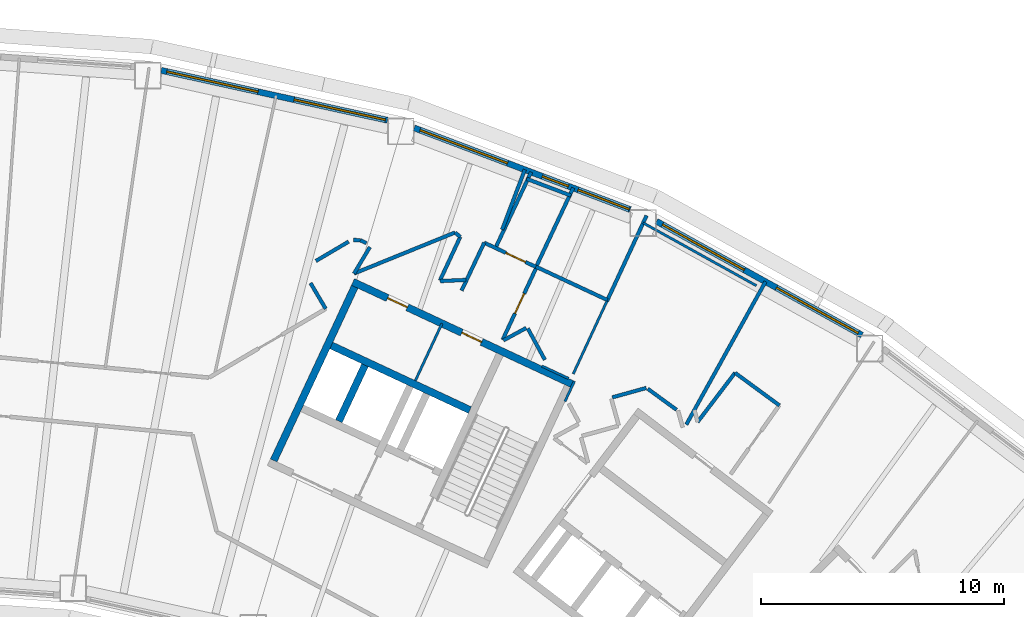
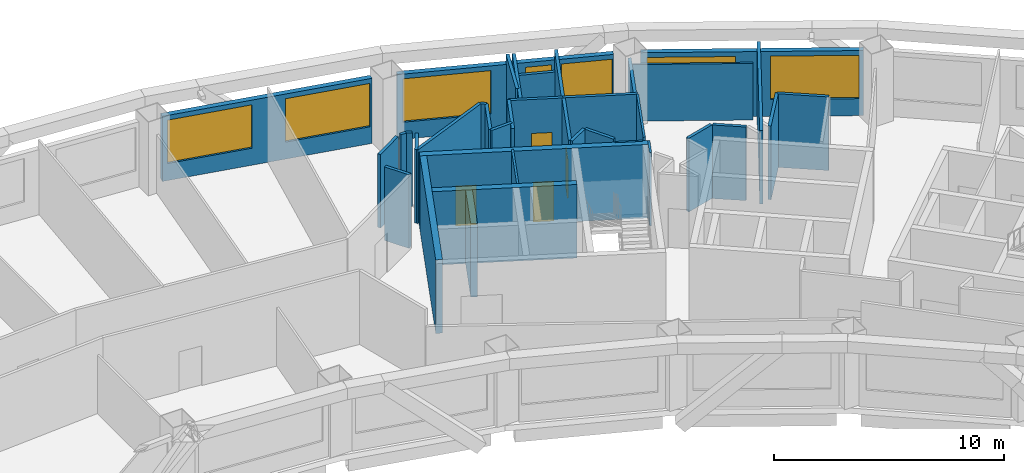
# One storey, part 9 of 16: 37 walls, 7 windows, 4 doors, 11 openings.
"""IFC4 building model written with IfcOpenShell, lengths in metres."""

import ifcopenshell
import ifcopenshell.guid

model = None  # the IFC model being written
_history = None  # IfcOwnerHistory: only IFC2X3 demands one
_inside = {}  # id of a spatial element -> (the spatial element, [elements in it])
_under = {}  # id of a project, library or spatial element -> (it, [spatial elements below it])
_declared = {}  # id of a project -> (the project, [libraries it declares])
_typed = {}  # id of a type object -> (the type object, [elements of that type])
_made_of = {}  # id of a material, layer set ... -> (it, [elements and type objects made of it])


def new_model(schema):
    """Start an empty IFC model of exactly this schema.

    Asked for "IFC4X3", IfcOpenShell would pick the latest addendum, in which some entities
    have other attributes; the version numbers below select the first issue.
    IFC2X3 requires an IfcOwnerHistory on every rooted entity: one is made here for all.
    """
    global model, _history
    if schema == "IFC4X3":
        model = ifcopenshell.file(schema_version=(4, 3, 0, 0))
    else:
        model = ifcopenshell.file(schema=schema)
    _inside.clear()
    _under.clear()
    _declared.clear()
    _typed.clear()
    _made_of.clear()
    _history = None
    if model.schema == "IFC2X3":
        org = make("IfcOrganization", Name="unknown")
        user = make(
            "IfcPersonAndOrganization",
            ThePerson=make("IfcPerson", FamilyName="unknown"),
            TheOrganization=org,
        )
        app = make(
            "IfcApplication",
            ApplicationDeveloper=org,
            Version="unknown",
            ApplicationFullName="unknown",
            ApplicationIdentifier="unknown",
        )
        _history = make(
            "IfcOwnerHistory",
            OwningUser=user,
            OwningApplication=app,
            ChangeAction="ADDED",
            CreationDate=0,
        )
    return model


def make(cls, **values):
    """One entity of the class cls with the attributes given. An attribute that is None is left unset."""
    return model.create_entity(
        cls, **{name: value for name, value in values.items() if value is not None}
    )


def rooted(cls, **values):
    """An entity with a GlobalId (a new one), such as an element, a storey or a relation."""
    return make(cls, GlobalId=ifcopenshell.guid.new(), OwnerHistory=_history, **values)


def si_unit(unit_type, name, prefix=None):
    """IfcSIUnit, for example si_unit("LENGTHUNIT", "METRE", prefix="MILLI")."""
    return make("IfcSIUnit", UnitType=unit_type, Prefix=prefix, Name=name)


def assignment(units):
    """IfcUnitAssignment: the units of a project."""
    return None if units is None else make("IfcUnitAssignment", Units=units)


def point(xyz):
    """IfcCartesianPoint."""
    return None if xyz is None else make("IfcCartesianPoint", Coordinates=xyz)


def direction(xyz):
    """IfcDirection."""
    return None if xyz is None else make("IfcDirection", DirectionRatios=xyz)


def frame(location, z_axis=None, x_axis=None):
    """IfcAxis2Placement3D, a coordinate frame: its origin and axes. An axis left out is left unset."""
    return make(
        "IfcAxis2Placement3D",
        Location=point(location),
        Axis=direction(z_axis),
        RefDirection=direction(x_axis),
    )


def frame_2d(location, x_axis=None):
    """IfcAxis2Placement2D, a coordinate frame in the plane: its origin and x axis."""
    return make(
        "IfcAxis2Placement2D", Location=point(location), RefDirection=direction(x_axis)
    )


def origin():
    """The frame at (0, 0, 0) with its axes left unset."""
    return frame((0.0, 0.0, 0.0))


def place(relative_to, where):
    """IfcLocalPlacement: puts the frame where relative to a parent placement (None: the world)."""
    return make(
        "IfcLocalPlacement", PlacementRelTo=relative_to, RelativePlacement=where
    )


def context(
    kind, dimensions, precision=None, world=None, true_north=None, identifier=None
):
    """IfcGeometricRepresentationContext, for example the 3D "Model" context."""
    return make(
        "IfcGeometricRepresentationContext",
        ContextIdentifier=identifier,
        ContextType=kind,
        CoordinateSpaceDimension=dimensions,
        Precision=precision,
        WorldCoordinateSystem=world,
        TrueNorth=true_north,
    )


def subcontext(parent, identifier, kind, view, scale=None):
    """IfcGeometricRepresentationSubContext, for example "Body" below "Model"."""
    return make(
        "IfcGeometricRepresentationSubContext",
        ContextIdentifier=identifier,
        ContextType=kind,
        ParentContext=parent,
        TargetScale=scale,
        TargetView=view,
    )


def project(units=None, contexts=None):
    """IfcProject with its units and contexts."""
    return rooted(
        "IfcProject",
        Name="project",
        RepresentationContexts=contexts,
        UnitsInContext=assignment(units),
    )


def spatial(cls, under=None, at=None, **own):
    """A site, building, storey or space (cls), placed at a placement, below another one or the project."""
    s = rooted(cls, ObjectPlacement=at, **own)
    if under is not None:
        _under.setdefault(under.id(), (under, []))[1].append(s)
    return s


def profile(cls, at=None, kind="AREA", **sizes):
    """A parametric profile (cls). Its sizes go by their IFC names, for example OverallWidth=200.0."""
    return make(cls, ProfileType=kind, Position=at, **sizes)


def rectangle(**sizes):
    """IfcRectangleProfileDef."""
    return profile("IfcRectangleProfileDef", **sizes)


def extrude(swept, where, along, depth):
    """IfcExtrudedAreaSolid: the profile swept, set in the frame where, extruded along a direction by depth."""
    return make(
        "IfcExtrudedAreaSolid",
        SweptArea=swept,
        Position=where,
        ExtrudedDirection=direction(along),
        Depth=depth,
    )


def shape(context_of_items, identifier, shape_type, items):
    """IfcShapeRepresentation: the items that make up one representation, for example the "Body"."""
    return make(
        "IfcShapeRepresentation",
        ContextOfItems=context_of_items,
        RepresentationIdentifier=identifier,
        RepresentationType=shape_type,
        Items=items,
    )


def material(Name=None, Category=None):
    """IfcMaterial."""
    return make("IfcMaterial", Name=Name, Category=Category)


def layer(
    of_material, thickness, ventilated=None, Name=None, Category=None, Priority=None
):
    """IfcMaterialLayer: one layer of a wall or slab, of a material (None: an air gap)."""
    return make(
        "IfcMaterialLayer",
        Material=of_material,
        LayerThickness=thickness,
        IsVentilated=ventilated,
        Name=Name,
        Category=Category,
        Priority=Priority,
    )


def layer_set(layers, Name=None):
    """IfcMaterialLayerSet."""
    return make("IfcMaterialLayerSet", MaterialLayers=layers, LayerSetName=Name)


def made_of(thing, what):
    """Note that an element or type object is made of a material, layer set ...; save() writes the relation."""
    if what is not None:
        _made_of.setdefault(what.id(), (what, []))[1].append(thing)
    return thing


def type_object(cls, material=None, **own):
    """A type object (cls), such as IfcWallType, which elements share."""
    return made_of(rooted(cls, **own), material)


def element(
    cls,
    number,
    at=None,
    inside=None,
    cuts=None,
    type_object=None,
    material=None,
    context=None,
    identifier="Body",
    shape_type=None,
    held_by="IfcProductDefinitionShape",
    body=None,
    shapes=None,
    **own,
):
    """One element of the class cls, such as IfcWall. Its Tag is "e" and its number.

    at: its placement. inside: the storey or other place that contains it. cuts: it is an
    opening in that element (IfcRelVoidsElement). A single representation is given by context,
    identifier, shape_type and body (its items); several are given by shapes. held_by: the class
    of the entity that holds the representations. save() writes the other relations.
    """
    e = rooted(cls, Tag="e%d" % number, ObjectPlacement=at, **own)
    if body is not None:
        shapes = [shape(context, identifier, shape_type, body)]
    if shapes is not None:
        e.Representation = make(held_by, Representations=shapes)
    if inside is not None:
        _inside.setdefault(inside.id(), (inside, []))[1].append(e)
    if cuts is not None:
        rooted(
            "IfcRelVoidsElement", RelatingBuildingElement=cuts, RelatedOpeningElement=e
        )
    if type_object is not None:
        _typed.setdefault(type_object.id(), (type_object, []))[1].append(e)
    return made_of(e, material)


def fill(opening, filler):
    """IfcRelFillsElement: the door or window that sits in an opening."""
    return rooted(
        "IfcRelFillsElement",
        RelatingOpeningElement=opening,
        RelatedBuildingElement=filler,
    )


def aggregate(whole, parts):
    """IfcRelAggregates: a whole, such as a stair, and the parts it consists of."""
    return rooted("IfcRelAggregates", RelatingObject=whole, RelatedObjects=parts)


def save(model, path):
    """Write the relations noted so far, then the file.

    IfcRelAggregates (storeys below a building ...), IfcRelContainedInSpatialStructure (elements
    in a storey), IfcRelDefinesByType, IfcRelAssociatesMaterial and IfcRelDeclares: one each for
    every whole, place, type object, material and project.
    """
    for whole, parts in _under.values():
        aggregate(whole, parts)
    for where, things in _inside.values():
        rooted(
            "IfcRelContainedInSpatialStructure",
            RelatedElements=things,
            RelatingStructure=where,
        )
    for kind, things in _typed.values():
        rooted("IfcRelDefinesByType", RelatedObjects=things, RelatingType=kind)
    for what, things in _made_of.values():
        rooted("IfcRelAssociatesMaterial", RelatedObjects=things, RelatingMaterial=what)
    for by, libraries in _declared.values():
        rooted("IfcRelDeclares", RelatingContext=by, RelatedDefinitions=libraries)
    model.write(path)


model = new_model("IFC4")

# Units and contexts
model_context = context("Model", 3, precision=1e-05, world=origin(), true_north=direction((0.0, 1.0)))
body_context = subcontext(model_context, "Body", "Model", "MODEL_VIEW")
ifc_project = project(units=[si_unit("LENGTHUNIT", "METRE"), si_unit("AREAUNIT", "SQUARE_METRE"), si_unit("VOLUMEUNIT", "CUBIC_METRE"), si_unit("PLANEANGLEUNIT", "RADIAN"), si_unit("MASSUNIT", "GRAM", prefix="KILO")], contexts=[model_context])

# Site, building, storey
site_placement = place(None, origin())
site = spatial("IfcSite", under=ifc_project, at=site_placement, CompositionType="ELEMENT")
building_placement = place(site_placement, origin())
building = spatial("IfcBuilding", under=site, at=building_placement, Name="Tuul Gate Civic Tower", CompositionType="ELEMENT")
storey_placement = place(building_placement, frame((0.0, 0.0, 124.5)))
storey = spatial("IfcBuildingStorey", under=building, at=storey_placement, Name="Level 28", CompositionType="ELEMENT", Elevation=124.5)

# Wall
ifc_material_1 = material(Name="Concrete C50/60", Category="concrete")
ifc_layer_1 = layer(ifc_material_1, 0.300048828125)
ifc_layer_set_1 = layer_set([ifc_layer_1], Name="Concrete C50/60")
wall_type_1 = type_object("IfcWallType", Name="Core wall C50/60", PredefinedType="SHEAR", material=ifc_layer_set_1)
wall_1_placement = place(storey_placement, frame((33.75, -0.873779296875, 0.0), z_axis=(0.0, 0.0, 1.0), x_axis=(-0.906300917592, 0.422632992999, 0.0)))
element("IfcWall", 1, at=wall_1_placement, inside=storey, type_object=wall_type_1, Name="Core wall", PredefinedType="SHEAR", context=body_context, shape_type="SweptSolid", body=[
    extrude(rectangle(XDim=6.300048828125, YDim=0.300048828125, at=frame_2d((3.14990234375, 0.0))), origin(), (0.0, 0.0, 1.0), 3.89990234375),
])

# Wall, openings, doors
wall_2_placement = place(storey_placement, frame((37.993408203125, 0.181884765625, 0.0), z_axis=(0.0, 0.0, 1.0), x_axis=(-0.906310338845, 0.422612789327, 0.0)))
wall_2 = element("IfcWall", 2, at=wall_2_placement, inside=storey, type_object=wall_type_1, Name="Core wall", PredefinedType="SHEAR", context=body_context, shape_type="SweptSolid", body=[
    extrude(rectangle(XDim=9.999755859375, YDim=0.300048828125, at=frame_2d((5.0, 0.0))), origin(), (0.0, 0.0, 1.0), 3.89990234375),
])
opening_1_placement = place(wall_2_placement, frame((4.14990234375, 0.0, 0.0)))
opening_1 = element("IfcOpeningElement", 3, at=opening_1_placement, cuts=wall_2, Name="Opening I-D31", PredefinedType="OPENING", context=body_context, shape_type="SweptSolid", body=[
    extrude(rectangle(XDim=0.89990234375, YDim=2.10009765625, at=frame_2d((0.449951171875, 1.050048828125))), frame((0.0, 0.16015625, 0.0), z_axis=(0.0, -1.0, 0.0), x_axis=(1.0, 0.0, 0.0)), (0.0, 0.0, 1.0), 0.320068359375),
])
opening_2_placement = place(wall_2_placement, frame((7.52490234375, 0.0, 0.0)))
opening_2 = element("IfcOpeningElement", 4, at=opening_2_placement, cuts=wall_2, Name="Opening I-D32", PredefinedType="OPENING", context=body_context, shape_type="SweptSolid", body=[
    extrude(rectangle(XDim=0.89990234375, YDim=2.10009765625, at=frame_2d((0.449951171875, 1.050048828125))), frame((0.0, 0.16015625, 0.0), z_axis=(0.0, -1.0, 0.0), x_axis=(1.0, 0.0, 0.0)), (0.0, 0.0, 1.0), 0.320068359375),
])
ifc_material_2 = material(Name="Timber door leaf", Category="wood")
door_type = type_object("IfcDoorType", Name="Door D09", OperationType="NOTDEFINED", PredefinedType="DOOR", material=ifc_material_2)
door_1_placement = place(opening_1_placement, origin())
door_1 = element("IfcDoor", 5, at=door_1_placement, inside=storey, type_object=door_type, Name="Door I-D31", OperationType="SINGLE_SWING_LEFT", OverallHeight=2.10009765625, OverallWidth=0.89990234375, PredefinedType="DOOR", context=body_context, shape_type="SweptSolid", body=[
    extrude(rectangle(XDim=0.89990234375, YDim=2.10009765625, at=frame_2d((0.449951171875, 1.050048828125))), frame((0.0, 0.02490234375, 0.0), z_axis=(0.0, -1.0, 0.0), x_axis=(1.0, 0.0, 0.0)), (0.0, 0.0, 1.0), 0.050048828125),
])
fill(opening_1, door_1)
door_2_placement = place(opening_2_placement, origin())
door_2 = element("IfcDoor", 6, at=door_2_placement, inside=storey, type_object=door_type, Name="Door I-D32", OperationType="SINGLE_SWING_RIGHT", OverallHeight=2.10009765625, OverallWidth=0.89990234375, PredefinedType="DOOR", context=body_context, shape_type="SweptSolid", body=[
    extrude(rectangle(XDim=0.89990234375, YDim=2.10009765625, at=frame_2d((0.449951171875, 1.050048828125))), frame((0.0, 0.02490234375, 0.0), z_axis=(0.0, -1.0, 0.0), x_axis=(1.0, 0.0, 0.0)), (0.0, 0.0, 1.0), 0.050048828125),
])
fill(opening_2, door_2)

# Walls
wall_3_placement = place(storey_placement, frame((28.349365234375, -1.33447265625, 0.0), z_axis=(0.0, 0.0, 1.0), x_axis=(0.422612891016, 0.906310291427, 0.0)))
element("IfcWall", 7, at=wall_3_placement, inside=storey, type_object=wall_type_1, Name="Core wall", PredefinedType="SHEAR", context=body_context, shape_type="SweptSolid", body=[
    extrude(rectangle(XDim=2.550048828125, YDim=0.300048828125, at=frame_2d((1.27490234375, 0.0))), origin(), (0.0, 0.0, 1.0), 3.89990234375),
])
wall_4_placement = place(storey_placement, frame((25.66455078125, -2.951416015625, 0.0), z_axis=(0.0, 0.0, 1.0), x_axis=(0.422582604137, 0.906324413596, 0.0)))
element("IfcWall", 8, at=wall_4_placement, inside=storey, type_object=wall_type_1, Name="Core wall", PredefinedType="SHEAR", context=body_context, shape_type="SweptSolid", body=[
    extrude(rectangle(XDim=7.89990234375, YDim=0.300048828125, at=frame_2d((3.949951171875, 0.0))), origin(), (0.0, 0.0, 1.0), 3.89990234375),
])
ifc_material_3 = material(Name="Gypsum board partition")
ifc_layer_2 = layer(ifc_material_3, 0.14990234375)
ifc_layer_set_2 = layer_set([ifc_layer_2], Name="Gypsum board partition")
wall_type_2 = type_object("IfcWallType", Name="Corridor wall P150", PredefinedType="PARTITIONING", material=ifc_layer_set_2)
wall_5_placement = place(storey_placement, frame((44.6787109375, 0.6611328125, 0.0), z_axis=(0.0, 0.0, 1.0), x_axis=(0.806350332677, -0.591438197102, 0.0)))
element("IfcWall", 9, at=wall_5_placement, inside=storey, type_object=wall_type_2, Name="p022", PredefinedType="PARTITIONING", context=body_context, shape_type="SweptSolid", body=[
    extrude(rectangle(XDim=2.27197265625, YDim=0.14990234375, at=frame_2d((1.135986328125, 0.0))), origin(), (0.0, 0.0, 1.0), 3.89990234375),
])
wall_6_placement = place(storey_placement, frame((43.13818359375, -1.3623046875, 0.0), z_axis=(0.0, 0.0, 1.0), x_axis=(0.605759722107, 0.795647634995, 0.0)))
element("IfcWall", 10, at=wall_6_placement, inside=storey, type_object=wall_type_2, Name="p023", PredefinedType="PARTITIONING", context=body_context, shape_type="SweptSolid", body=[
    extrude(rectangle(XDim=2.543212890625, YDim=0.14990234375, at=frame_2d((1.271484375, 0.0))), origin(), (0.0, 0.0, 1.0), 3.89990234375),
])
wall_7_placement = place(storey_placement, frame((42.669921875, -1.47021484375, 0.0), z_axis=(0.0, 0.0, 1.0), x_axis=(0.484830439578, 0.874608166471, 0.0)))
element("IfcWall", 11, at=wall_7_placement, inside=storey, type_object=wall_type_2, Name="p025", PredefinedType="PARTITIONING", context=body_context, shape_type="SweptSolid", body=[
    extrude(rectangle(XDim=6.737060546875, YDim=0.14990234375, at=frame_2d((3.36865234375, 0.0))), origin(), (0.0, 0.0, 1.0), 3.89990234375),
])
wall_8_placement = place(storey_placement, frame((41.081298828125, 0.003173828125, 0.0), z_axis=(0.0, 0.0, 1.0), x_axis=(0.808024012499, -0.589149552511, 0.0)))
element("IfcWall", 12, at=wall_8_placement, inside=storey, type_object=wall_type_2, Name="p030", PredefinedType="PARTITIONING", context=body_context, shape_type="SweptSolid", body=[
    extrude(rectangle(XDim=1.468994140625, YDim=0.14990234375, at=frame_2d((0.734375, 0.0))), origin(), (0.0, 0.0, 1.0), 3.89990234375),
])
wall_9_placement = place(storey_placement, frame((39.6162109375, -0.351318359375, 0.0), z_axis=(0.0, 0.0, 1.0), x_axis=(0.963577937758, 0.267427668475, 0.0)))
element("IfcWall", 13, at=wall_9_placement, inside=storey, type_object=wall_type_2, Name="p031", PredefinedType="PARTITIONING", context=body_context, shape_type="SweptSolid", body=[
    extrude(rectangle(XDim=1.4560546875, YDim=0.14990234375, at=frame_2d((0.72802734375, 0.0))), origin(), (0.0, 0.0, 1.0), 3.89990234375),
])
wall_10_placement = place(storey_placement, frame((36.13623046875, 2.489501953125, 0.0), z_axis=(0.0, 0.0, 1.0), x_axis=(0.479178275285, -0.877717597234, 0.0)))
element("IfcWall", 14, at=wall_10_placement, inside=storey, type_object=wall_type_2, Name="p036", PredefinedType="PARTITIONING", context=body_context, shape_type="SweptSolid", body=[
    extrude(rectangle(XDim=1.46826171875, YDim=0.14990234375, at=frame_2d((0.734130859375, 0.0))), origin(), (0.0, 0.0, 1.0), 3.89990234375),
])
wall_11_placement = place(storey_placement, frame((35.130615234375, 1.997802734375, 0.0), z_axis=(0.0, 0.0, 1.0), x_axis=(0.877825963041, 0.478979726722, 0.0)))
element("IfcWall", 15, at=wall_11_placement, inside=storey, type_object=wall_type_2, Name="p039", PredefinedType="PARTITIONING", context=body_context, shape_type="SweptSolid", body=[
    extrude(rectangle(XDim=1.072509765625, YDim=0.14990234375, at=frame_2d((0.5361328125, 0.0))), origin(), (0.0, 0.0, 1.0), 3.89990234375),
])

# Wall, opening, door
wall_12_placement = place(storey_placement, frame((35.1005859375, 2.02294921875, 0.0), z_axis=(0.0, 0.0, 1.0), x_axis=(0.422652707804, 0.906291723776, 0.0)))
wall_12 = element("IfcWall", 16, at=wall_12_placement, inside=storey, type_object=wall_type_2, Name="p040", PredefinedType="PARTITIONING", context=body_context, shape_type="SweptSolid", body=[
    extrude(rectangle(XDim=3.33056640625, YDim=0.14990234375, at=frame_2d((1.665283203125, 0.0))), origin(), (0.0, 0.0, 1.0), 3.89990234375),
])
opening_3_placement = place(wall_12_placement, frame((1.199951171875, 0.0, 0.0)))
opening_3 = element("IfcOpeningElement", 17, at=opening_3_placement, cuts=wall_12, Name="Opening I-D06", PredefinedType="OPENING", context=body_context, shape_type="SweptSolid", body=[
    extrude(rectangle(XDim=0.89990234375, YDim=2.10009765625, at=frame_2d((0.449951171875, 1.050048828125))), frame((0.0, 0.0849609375, 0.0), z_axis=(0.0, -1.0, 0.0), x_axis=(1.0, 0.0, 0.0)), (0.0, 0.0, 1.0), 0.169921875),
])
door_3_placement = place(opening_3_placement, frame((0.89990234375, 0.0, 0.0), z_axis=(0.0, 0.0, 1.0), x_axis=(-1.0, 0.0, 0.0)))
door_3 = element("IfcDoor", 18, at=door_3_placement, inside=storey, type_object=door_type, Name="Door I-D06", OperationType="SINGLE_SWING_RIGHT", OverallHeight=2.10009765625, OverallWidth=0.89990234375, PredefinedType="DOOR", context=body_context, shape_type="SweptSolid", body=[
    extrude(rectangle(XDim=0.89990234375, YDim=2.10009765625, at=frame_2d((0.449951171875, 1.050048828125))), frame((0.0, 0.02490234375, 0.0), z_axis=(0.0, -1.0, 0.0), x_axis=(1.0, 0.0, 0.0)), (0.0, 0.0, 1.0), 0.050048828125),
])
fill(opening_3, door_3)

# Walls
wall_13_placement = place(storey_placement, frame((36.47119140625, 5.03564453125, 0.0), z_axis=(0.0, 0.0, 1.0), x_axis=(0.906282813963, -0.42267181254, 0.0)))
element("IfcWall", 19, at=wall_13_placement, inside=storey, type_object=wall_type_2, Name="p041", PredefinedType="PARTITIONING", context=body_context, shape_type="SweptSolid", body=[
    extrude(rectangle(XDim=3.253173828125, YDim=0.14990234375, at=frame_2d((1.62646484375, 0.0))), origin(), (0.0, 0.0, 1.0), 3.89990234375),
])
wall_14_placement = place(storey_placement, frame((33.408203125, 4.05322265625, 0.0), z_axis=(0.0, 0.0, 1.0), x_axis=(0.428095961812, 0.903733283375, 0.0)))
element("IfcWall", 20, at=wall_14_placement, inside=storey, type_object=wall_type_2, Name="p043", PredefinedType="PARTITIONING", context=body_context, shape_type="SweptSolid", body=[
    extrude(rectangle(XDim=2.1826171875, YDim=0.14990234375, at=frame_2d((1.09130859375, 0.0))), origin(), (0.0, 0.0, 1.0), 3.89990234375),
])
wall_15_placement = place(storey_placement, frame((32.5263671875, 4.4423828125, 0.0), z_axis=(0.0, 0.0, 1.0), x_axis=(0.998924273389, 0.046371284587, 0.0)))
element("IfcWall", 21, at=wall_15_placement, inside=storey, type_object=wall_type_2, Name="p044", PredefinedType="PARTITIONING", context=body_context, shape_type="SweptSolid", body=[
    extrude(rectangle(XDim=1.06884765625, YDim=0.14990234375, at=frame_2d((0.534423828125, 0.0))), origin(), (0.0, 0.0, 1.0), 3.89990234375),
])
wall_16_placement = place(storey_placement, frame((32.516845703125, 4.468994140625, 0.0), z_axis=(0.0, 0.0, 1.0), x_axis=(0.422330715497, 0.906441816526, 0.0)))
element("IfcWall", 22, at=wall_16_placement, inside=storey, type_object=wall_type_2, Name="p045", PredefinedType="PARTITIONING", context=body_context, shape_type="SweptSolid", body=[
    extrude(rectangle(XDim=1.975830078125, YDim=0.14990234375, at=frame_2d((0.98779296875, 0.0))), origin(), (0.0, 0.0, 1.0), 3.89990234375),
])
wall_17_placement = place(storey_placement, frame((33.1455078125, 6.447265625, 0.0), z_axis=(0.0, 0.0, 1.0), x_axis=(0.739662095521, -0.672978442782, 0.0)))
element("IfcWall", 23, at=wall_17_placement, inside=storey, type_object=wall_type_2, Name="p046", PredefinedType="PARTITIONING", context=body_context, shape_type="SweptSolid", body=[
    extrude(rectangle(XDim=0.2783203125, YDim=0.14990234375, at=frame_2d((0.13916015625, 0.0))), origin(), (0.0, 0.0, 1.0), 3.89990234375),
])
wall_18_placement = place(storey_placement, frame((28.97412109375, 4.75390625, 0.0), z_axis=(0.0, 0.0, 1.0), x_axis=(0.926564640531, 0.376135569865, 0.0)))
element("IfcWall", 24, at=wall_18_placement, inside=storey, type_object=wall_type_2, Name="p048", PredefinedType="PARTITIONING", context=body_context, shape_type="SweptSolid", body=[
    extrude(rectangle(XDim=4.501953125, YDim=0.14990234375, at=frame_2d((2.2509765625, 0.0))), origin(), (0.0, 0.0, 1.0), 3.89990234375),
])
wall_19_placement = place(storey_placement, frame((29.63037109375, 5.84521484375, 0.0), z_axis=(0.0, 0.0, 1.0), x_axis=(-0.515341325325, -0.856985016445, 0.0)))
element("IfcWall", 25, at=wall_19_placement, inside=storey, type_object=wall_type_2, Name="p049", PredefinedType="PARTITIONING", context=body_context, shape_type="SweptSolid", body=[
    extrude(rectangle(XDim=1.2734375, YDim=0.14990234375, at=frame_2d((0.63671875, 0.0))), origin(), (0.0, 0.0, 1.0), 3.89990234375),
])
wall_20_placement = place(storey_placement, frame((29.233154296875, 6.12548828125, 0.0), z_axis=(0.0, 0.0, 1.0), x_axis=(0.902989616358, -0.429662370646, 0.0)))
element("IfcWall", 26, at=wall_20_placement, inside=storey, type_object=wall_type_2, Name="p050", PredefinedType="PARTITIONING", context=body_context, shape_type="SweptSolid", body=[
    extrude(rectangle(XDim=0.279541015625, YDim=0.14990234375, at=frame_2d((0.1396484375, 0.0))), origin(), (0.0, 0.0, 1.0), 3.89990234375),
])
wall_21_placement = place(storey_placement, frame((28.95361328125, 6.1396484375, 0.0), z_axis=(0.0, 0.0, 1.0), x_axis=(0.998719498115, -0.050590157983, 0.0)))
element("IfcWall", 27, at=wall_21_placement, inside=storey, type_object=wall_type_2, Name="p051", PredefinedType="PARTITIONING", context=body_context, shape_type="SweptSolid", body=[
    extrude(rectangle(XDim=0.27978515625, YDim=0.14990234375, at=frame_2d((0.139892578125, 0.0))), origin(), (0.0, 0.0, 1.0), 3.89990234375),
])
wall_22_placement = place(storey_placement, frame((27.404541015625, 5.273193359375, 0.0), z_axis=(0.0, 0.0, 1.0), x_axis=(0.861308158531, 0.508082922414, 0.0)))
element("IfcWall", 28, at=wall_22_placement, inside=storey, type_object=wall_type_2, Name="p052", PredefinedType="PARTITIONING", context=body_context, shape_type="SweptSolid", body=[
    extrude(rectangle(XDim=1.5654296875, YDim=0.14990234375, at=frame_2d((0.78271484375, 0.0))), origin(), (0.0, 0.0, 1.0), 3.89990234375),
])
wall_23_placement = place(storey_placement, frame((27.181640625, 4.36181640625, 0.0), z_axis=(0.0, 0.0, 1.0), x_axis=(0.507988786181, -0.861363682259, 0.0)))
element("IfcWall", 29, at=wall_23_placement, inside=storey, type_object=wall_type_2, Name="p053", PredefinedType="PARTITIONING", context=body_context, shape_type="SweptSolid", body=[
    extrude(rectangle(XDim=1.233154296875, YDim=0.14990234375, at=frame_2d((0.61669921875, 0.0))), origin(), (0.0, 0.0, 1.0), 3.89990234375),
])
wall_24_placement = place(storey_placement, frame((35.0791015625, 6.560791015625, 0.0), z_axis=(0.0, 0.0, 1.0), x_axis=(0.353739480117, 0.935343990309, 0.0)))
element("IfcWall", 30, at=wall_24_placement, inside=storey, type_object=wall_type_2, Name="p055", PredefinedType="PARTITIONING", context=body_context, shape_type="SweptSolid", body=[
    extrude(rectangle(XDim=2.6474609375, YDim=0.14990234375, at=frame_2d((1.32373046875, 0.0))), origin(), (0.0, 0.0, 1.0), 3.89990234375),
])

# Wall, opening, door
wall_25_placement = place(storey_placement, frame((34.342529296875, 6.025634765625, 0.0), z_axis=(0.0, 0.0, 1.0), x_axis=(0.905098945605, -0.425201009717, 0.0)))
wall_25 = element("IfcWall", 31, at=wall_25_placement, inside=storey, type_object=wall_type_2, Name="p056", PredefinedType="PARTITIONING", context=body_context, shape_type="SweptSolid", body=[
    extrude(rectangle(XDim=2.347900390625, YDim=0.14990234375, at=frame_2d((1.173828125, 0.0))), origin(), (0.0, 0.0, 1.0), 3.89990234375),
])
opening_4_placement = place(wall_25_placement, frame((0.9794921875, 0.0, 0.0)))
opening_4 = element("IfcOpeningElement", 32, at=opening_4_placement, cuts=wall_25, Name="Opening I-D25", PredefinedType="OPENING", context=body_context, shape_type="SweptSolid", body=[
    extrude(rectangle(XDim=0.89990234375, YDim=2.10009765625, at=frame_2d((0.449951171875, 1.050048828125))), frame((0.0, 0.0849609375, 0.0), z_axis=(0.0, -1.0, 0.0), x_axis=(1.0, 0.0, 0.0)), (0.0, 0.0, 1.0), 0.169921875),
])
door_4_placement = place(opening_4_placement, origin())
door_4 = element("IfcDoor", 33, at=door_4_placement, inside=storey, type_object=door_type, Name="Door I-D25", OperationType="SINGLE_SWING_RIGHT", OverallHeight=2.10009765625, OverallWidth=0.89990234375, PredefinedType="DOOR", context=body_context, shape_type="SweptSolid", body=[
    extrude(rectangle(XDim=0.89990234375, YDim=2.10009765625, at=frame_2d((0.449951171875, 1.050048828125))), frame((0.0, 0.02490234375, 0.0), z_axis=(0.0, -1.0, 0.0), x_axis=(1.0, 0.0, 0.0)), (0.0, 0.0, 1.0), 0.050048828125),
])
fill(opening_4, door_4)

# Walls
wall_26_placement = place(storey_placement, frame((36.4892578125, 5.05029296875, 0.0), z_axis=(0.0, 0.0, 1.0), x_axis=(0.425211120837, 0.905094195494, 0.0)))
element("IfcWall", 34, at=wall_26_placement, inside=storey, type_object=wall_type_2, Name="p104", PredefinedType="PARTITIONING", context=body_context, shape_type="SweptSolid", body=[
    extrude(rectangle(XDim=3.572509765625, YDim=0.14990234375, at=frame_2d((1.7861328125, 0.0))), origin(), (0.0, 0.0, 1.0), 3.89990234375),
])
wall_27_placement = place(storey_placement, frame((34.813720703125, 5.826416015625, 0.0), z_axis=(0.0, 0.0, 1.0), x_axis=(0.425212262645, 0.905093659074, 0.0)))
element("IfcWall", 35, at=wall_27_placement, inside=storey, type_object=wall_type_2, Name="p105", PredefinedType="PARTITIONING", context=body_context, shape_type="SweptSolid", body=[
    extrude(rectangle(XDim=3.438720703125, YDim=0.14990234375, at=frame_2d((1.71923828125, 0.0))), origin(), (0.0, 0.0, 1.0), 3.89990234375),
])
ifc_material_4 = material(Name="Gypsum board partition")
ifc_layer_3 = layer(ifc_material_4, 0.14990234375)
ifc_layer_set_3 = layer_set([ifc_layer_3], Name="Gypsum board partition")
wall_type_3 = type_object("IfcWallType", Name="Corridor wall P150 3000 HIGH", PredefinedType="PARTITIONING", material=ifc_layer_set_3)
wall_28_placement = place(storey_placement, frame((36.08984375, 8.656494140625, 0.0), z_axis=(0.0, 0.0, 1.0), x_axis=(0.935338822091, -0.353753145414, 0.0)))
element("IfcWall", 36, at=wall_28_placement, inside=storey, type_object=wall_type_3, Name="p054", PredefinedType="PARTITIONING", context=body_context, shape_type="SweptSolid", body=[
    extrude(rectangle(XDim=1.952392578125, YDim=0.14990234375, at=frame_2d((0.97607421875, 0.0))), origin(), (0.0, 0.0, 1.0), 3.0),
])
ifc_material_5 = material(Name="Gypsum board partition")
ifc_layer_4 = layer(ifc_material_5, 0.14990234375)
ifc_layer_set_4 = layer_set([ifc_layer_4], Name="Gypsum board partition")
wall_type_4 = type_object("IfcWallType", Name="Corridor wall P150 3100 HIGH", PredefinedType="PARTITIONING", material=ifc_layer_set_4)
wall_29_placement = place(storey_placement, frame((39.3984375, 3.615478515625, 0.0), z_axis=(0.0, 0.0, 1.0), x_axis=(0.420396664262, 0.907340423809, 0.0)))
element("IfcWall", 37, at=wall_29_placement, inside=storey, type_object=wall_type_4, Name="p038", PredefinedType="PARTITIONING", context=body_context, shape_type="SweptSolid", body=[
    extrude(rectangle(XDim=3.88525390625, YDim=0.14990234375, at=frame_2d((1.942626953125, 0.0))), origin(), (0.0, 0.0, 1.0), 3.10009765625),
])

# Wall, openings, windows
ifc_material_6 = material(Name="Precast concrete C40/50", Category="concrete")
ifc_layer_5 = layer(ifc_material_6, 0.25)
ifc_layer_set_5 = layer_set([ifc_layer_5], Name="Precast concrete C40/50")
wall_type_5 = type_object("IfcWallType", Name="External wall", PredefinedType="STANDARD", material=ifc_layer_set_5)
wall_30_placement = place(storey_placement, frame((49.909912109375, 2.214111328125, 0.0), z_axis=(0.0, 0.0, 1.0), x_axis=(-0.874635083582, 0.484781879372, 0.0)))
wall_30 = element("IfcWall", 38, at=wall_30_placement, inside=storey, type_object=wall_type_5, Name="External wall", PredefinedType="STANDARD", context=body_context, shape_type="SweptSolid", body=[
    extrude(rectangle(XDim=9.680419921875, YDim=0.25, at=frame_2d((4.84033203125, 0.0))), origin(), (0.0, 0.0, 1.0), 3.449951171875),
])
opening_5_placement = place(wall_30_placement, frame((0.180419921875, 0.0, 0.89990234375)))
opening_5 = element("IfcOpeningElement", 39, at=opening_5_placement, cuts=wall_30, Name="Opening W22", PredefinedType="OPENING", context=body_context, shape_type="SweptSolid", body=[
    extrude(rectangle(XDim=3.85009765625, YDim=2.300048828125, at=frame_2d((1.925048828125, 1.14990234375))), frame((0.0, 0.135009765625, 0.0), z_axis=(0.0, -1.0, 0.0), x_axis=(1.0, 0.0, 0.0)), (0.0, 0.0, 1.0), 0.27001953125),
])
opening_6_placement = place(wall_30_placement, frame((5.5517578125, 0.0, 0.89990234375)))
opening_6 = element("IfcOpeningElement", 40, at=opening_6_placement, cuts=wall_30, Name="Opening W22", PredefinedType="OPENING", context=body_context, shape_type="SweptSolid", body=[
    extrude(rectangle(XDim=3.85009765625, YDim=2.300048828125, at=frame_2d((1.925048828125, 1.14990234375))), frame((0.0, 0.135009765625, 0.0), z_axis=(0.0, -1.0, 0.0), x_axis=(1.0, 0.0, 0.0)), (0.0, 0.0, 1.0), 0.27001953125),
])
ifc_material_7 = material(Name="Glass", Category="glass")
window_type_1 = type_object("IfcWindowType", Name="Window W22 3850 x 2300", PartitioningType="SINGLE_PANEL", PredefinedType="WINDOW", material=ifc_material_7)
window_1_placement = place(opening_5_placement, origin())
window_1 = element("IfcWindow", 41, at=window_1_placement, inside=storey, type_object=window_type_1, Name="Window", OverallHeight=2.300048828125, OverallWidth=3.85009765625, PartitioningType="SINGLE_PANEL", PredefinedType="WINDOW", context=body_context, shape_type="SweptSolid", body=[
    extrude(rectangle(XDim=3.85009765625, YDim=2.300048828125, at=frame_2d((1.925048828125, 1.14990234375))), frame((0.0, 0.030029296875, 0.0), z_axis=(0.0, -1.0, 0.0), x_axis=(1.0, 0.0, 0.0)), (0.0, 0.0, 1.0), 0.06005859375),
])
fill(opening_5, window_1)
window_2_placement = place(opening_6_placement, origin())
window_2 = element("IfcWindow", 42, at=window_2_placement, inside=storey, type_object=window_type_1, Name="Window", OverallHeight=2.300048828125, OverallWidth=3.85009765625, PartitioningType="SINGLE_PANEL", PredefinedType="WINDOW", context=body_context, shape_type="SweptSolid", body=[
    extrude(rectangle(XDim=3.85009765625, YDim=2.300048828125, at=frame_2d((1.925048828125, 1.14990234375))), frame((0.0, 0.030029296875, 0.0), z_axis=(0.0, -1.0, 0.0), x_axis=(1.0, 0.0, 0.0)), (0.0, 0.0, 1.0), 0.06005859375),
])
fill(opening_6, window_2)

wall_31_placement = place(storey_placement, frame((40.358154296875, 7.389892578125, 0.0), z_axis=(0.0, 0.0, 1.0), x_axis=(-0.935373880855, 0.353660434618, 0.0)))
wall_31 = element("IfcWall", 43, at=wall_31_placement, inside=storey, type_object=wall_type_5, Name="External wall", PredefinedType="STANDARD", context=body_context, shape_type="SweptSolid", body=[
    extrude(rectangle(XDim=9.518310546875, YDim=0.25, at=frame_2d((4.75927734375, 0.0))), origin(), (0.0, 0.0, 1.0), 3.449951171875),
])
opening_7_placement = place(wall_31_placement, frame((5.4052734375, 0.0, 0.89990234375)))
opening_7 = element("IfcOpeningElement", 44, at=opening_7_placement, cuts=wall_31, Name="Opening W22", PredefinedType="OPENING", context=body_context, shape_type="SweptSolid", body=[
    extrude(rectangle(XDim=3.85009765625, YDim=2.300048828125, at=frame_2d((1.925048828125, 1.14990234375))), frame((0.0, 0.135009765625, 0.0), z_axis=(0.0, -1.0, 0.0), x_axis=(1.0, 0.0, 0.0)), (0.0, 0.0, 1.0), 0.27001953125),
])
opening_8_placement = place(wall_31_placement, frame((0.049072265625, 0.0, 0.89990234375)))
opening_8 = element("IfcOpeningElement", 45, at=opening_8_placement, cuts=wall_31, Name="Opening W42", PredefinedType="OPENING", context=body_context, shape_type="SweptSolid", body=[
    extrude(rectangle(XDim=2.25, YDim=2.300048828125, at=frame_2d((1.125, 1.14990234375))), frame((0.0, 0.135009765625, 0.0), z_axis=(0.0, -1.0, 0.0), x_axis=(1.0, 0.0, 0.0)), (0.0, 0.0, 1.0), 0.27001953125),
])
opening_9_placement = place(wall_31_placement, frame((2.72412109375, 0.0, 0.89990234375)))
opening_9 = element("IfcOpeningElement", 46, at=opening_9_placement, cuts=wall_31, Name="Opening W43", PredefinedType="OPENING", context=body_context, shape_type="SweptSolid", body=[
    extrude(rectangle(XDim=1.14990234375, YDim=2.300048828125, at=frame_2d((0.574951171875, 1.14990234375))), frame((0.0, 0.135009765625, 0.0), z_axis=(0.0, -1.0, 0.0), x_axis=(1.0, 0.0, 0.0)), (0.0, 0.0, 1.0), 0.27001953125),
])
ifc_material_8 = material(Name="Glass", Category="glass")
window_type_2 = type_object("IfcWindowType", Name="Window 1150 x 2300", PartitioningType="SINGLE_PANEL", PredefinedType="WINDOW", material=ifc_material_8)
window_3_placement = place(opening_9_placement, origin())
window_3 = element("IfcWindow", 47, at=window_3_placement, inside=storey, type_object=window_type_2, Name="Window", OverallHeight=2.300048828125, OverallWidth=1.14990234375, PartitioningType="SINGLE_PANEL", PredefinedType="WINDOW", context=body_context, shape_type="SweptSolid", body=[
    extrude(rectangle(XDim=1.14990234375, YDim=2.300048828125, at=frame_2d((0.574951171875, 1.14990234375))), frame((0.0, 0.030029296875, 0.0), z_axis=(0.0, -1.0, 0.0), x_axis=(1.0, 0.0, 0.0)), (0.0, 0.0, 1.0), 0.06005859375),
])
fill(opening_9, window_3)
ifc_material_9 = material(Name="Glass", Category="glass")
window_type_3 = type_object("IfcWindowType", Name="Window 2250 x 2300", PartitioningType="SINGLE_PANEL", PredefinedType="WINDOW", material=ifc_material_9)
window_4_placement = place(opening_8_placement, origin())
window_4 = element("IfcWindow", 48, at=window_4_placement, inside=storey, type_object=window_type_3, Name="Window", OverallHeight=2.300048828125, OverallWidth=2.25, PartitioningType="SINGLE_PANEL", PredefinedType="WINDOW", context=body_context, shape_type="SweptSolid", body=[
    extrude(rectangle(XDim=2.25, YDim=2.300048828125, at=frame_2d((1.125, 1.14990234375))), frame((0.0, 0.030029296875, 0.0), z_axis=(0.0, -1.0, 0.0), x_axis=(1.0, 0.0, 0.0)), (0.0, 0.0, 1.0), 0.06005859375),
])
fill(opening_8, window_4)
window_5_placement = place(opening_7_placement, origin())
window_5 = element("IfcWindow", 49, at=window_5_placement, inside=storey, type_object=window_type_1, Name="Window", OverallHeight=2.300048828125, OverallWidth=3.85009765625, PartitioningType="SINGLE_PANEL", PredefinedType="WINDOW", context=body_context, shape_type="SweptSolid", body=[
    extrude(rectangle(XDim=3.85009765625, YDim=2.300048828125, at=frame_2d((1.925048828125, 1.14990234375))), frame((0.0, 0.030029296875, 0.0), z_axis=(0.0, -1.0, 0.0), x_axis=(1.0, 0.0, 0.0)), (0.0, 0.0, 1.0), 0.06005859375),
])
fill(opening_7, window_5)

wall_32_placement = place(storey_placement, frame((30.35498046875, 11.070556640625, 0.0), z_axis=(0.0, 0.0, 1.0), x_axis=(-0.976562109563, 0.215235792019, 0.0)))
wall_32 = element("IfcWall", 50, at=wall_32_placement, inside=storey, type_object=wall_type_5, Name="External wall", PredefinedType="STANDARD", context=body_context, shape_type="SweptSolid", body=[
    extrude(rectangle(XDim=9.55078125, YDim=0.25, at=frame_2d((4.775390625, 0.0))), origin(), (0.0, 0.0, 1.0), 3.449951171875),
])
opening_10_placement = place(wall_32_placement, frame((0.093017578125, 0.0, 0.89990234375)))
opening_10 = element("IfcOpeningElement", 51, at=opening_10_placement, cuts=wall_32, Name="Opening W22", PredefinedType="OPENING", context=body_context, shape_type="SweptSolid", body=[
    extrude(rectangle(XDim=3.85009765625, YDim=2.300048828125, at=frame_2d((1.925048828125, 1.14990234375))), frame((0.0, 0.135009765625, 0.0), z_axis=(0.0, -1.0, 0.0), x_axis=(1.0, 0.0, 0.0)), (0.0, 0.0, 1.0), 0.27001953125),
])
opening_11_placement = place(wall_32_placement, frame((5.46435546875, 0.0, 0.89990234375)))
opening_11 = element("IfcOpeningElement", 52, at=opening_11_placement, cuts=wall_32, Name="Opening W22", PredefinedType="OPENING", context=body_context, shape_type="SweptSolid", body=[
    extrude(rectangle(XDim=3.85009765625, YDim=2.300048828125, at=frame_2d((1.925048828125, 1.14990234375))), frame((0.0, 0.135009765625, 0.0), z_axis=(0.0, -1.0, 0.0), x_axis=(1.0, 0.0, 0.0)), (0.0, 0.0, 1.0), 0.27001953125),
])
window_6_placement = place(opening_10_placement, origin())
window_6 = element("IfcWindow", 53, at=window_6_placement, inside=storey, type_object=window_type_1, Name="Window", OverallHeight=2.300048828125, OverallWidth=3.85009765625, PartitioningType="SINGLE_PANEL", PredefinedType="WINDOW", context=body_context, shape_type="SweptSolid", body=[
    extrude(rectangle(XDim=3.85009765625, YDim=2.300048828125, at=frame_2d((1.925048828125, 1.14990234375))), frame((0.0, 0.030029296875, 0.0), z_axis=(0.0, -1.0, 0.0), x_axis=(1.0, 0.0, 0.0)), (0.0, 0.0, 1.0), 0.06005859375),
])
fill(opening_10, window_6)
window_7_placement = place(opening_11_placement, origin())
window_7 = element("IfcWindow", 54, at=window_7_placement, inside=storey, type_object=window_type_1, Name="Window", OverallHeight=2.300048828125, OverallWidth=3.85009765625, PartitioningType="SINGLE_PANEL", PredefinedType="WINDOW", context=body_context, shape_type="SweptSolid", body=[
    extrude(rectangle(XDim=3.85009765625, YDim=2.300048828125, at=frame_2d((1.925048828125, 1.14990234375))), frame((0.0, 0.030029296875, 0.0), z_axis=(0.0, -1.0, 0.0), x_axis=(1.0, 0.0, 0.0)), (0.0, 0.0, 1.0), 0.06005859375),
])
fill(opening_11, window_7)

# Walls
ifc_material_10 = material(Name="Gypsum board partition")
ifc_layer_6 = layer(ifc_material_10, 0.10009765625)
ifc_layer_set_6 = layer_set([ifc_layer_6], Name="Gypsum board partition")
wall_type_6 = type_object("IfcWallType", Name="Partition P100", PredefinedType="PARTITIONING", material=ifc_layer_set_6)
wall_33_placement = place(storey_placement, frame((38.011474609375, 0.621337890625, 0.0), z_axis=(0.0, 0.0, 1.0), x_axis=(0.420319881751, 0.907375995387, 0.0)))
element("IfcWall", 55, at=wall_33_placement, inside=storey, type_object=wall_type_6, Name="p027", PredefinedType="PARTITIONING", context=body_context, shape_type="SweptSolid", body=[
    extrude(rectangle(XDim=3.2998046875, YDim=0.10009765625, at=frame_2d((1.64990234375, 0.0))), origin(), (0.0, 0.0, 1.0), 3.89990234375),
])
wall_34_placement = place(storey_placement, frame((37.66650390625, -0.51953125, 0.0), z_axis=(0.0, 0.0, 1.0), x_axis=(0.422625000527, 0.906304644658, 0.0)))
element("IfcWall", 56, at=wall_34_placement, inside=storey, type_object=wall_type_6, Name="p106", PredefinedType="PARTITIONING", context=body_context, shape_type="SweptSolid", body=[
    extrude(rectangle(XDim=0.923583984375, YDim=0.10009765625, at=frame_2d((0.4619140625, 0.0))), origin(), (0.0, 0.0, 1.0), 3.89990234375),
])
wall_35_placement = place(storey_placement, frame((37.8125, 0.431640625, 0.0), z_axis=(0.0, 0.0, 1.0), x_axis=(-0.906276164439, 0.422686069996, 0.0)))
element("IfcWall", 57, at=wall_35_placement, inside=storey, type_object=wall_type_6, Name="p109", PredefinedType="PARTITIONING", context=body_context, shape_type="SweptSolid", body=[
    extrude(rectangle(XDim=1.20654296875, YDim=0.10009765625, at=frame_2d((0.603271484375, 0.0))), origin(), (0.0, 0.0, 1.0), 3.89990234375),
])
wall_36_placement = place(storey_placement, frame((31.502197265625, 0.33984375, 0.0), z_axis=(0.0, 0.0, 1.0), x_axis=(0.422556439746, 0.906336612539, 0.0)))
element("IfcWall", 58, at=wall_36_placement, inside=storey, type_object=wall_type_6, Name="bE3-BAND-0", PredefinedType="PARTITIONING", context=body_context, shape_type="SweptSolid", body=[
    extrude(rectangle(XDim=2.599853515625, YDim=0.10009765625, at=frame_2d((1.2998046875, 0.0))), origin(), (0.0, 0.0, 1.0), 3.89990234375),
])
ifc_material_11 = material(Name="Gypsum board partition")
ifc_layer_7 = layer(ifc_material_11, 0.10009765625)
ifc_layer_set_7 = layer_set([ifc_layer_7], Name="Gypsum board partition")
wall_type_7 = type_object("IfcWallType", Name="Partition P100 3000 HIGH", PredefinedType="PARTITIONING", material=ifc_layer_set_7)
wall_37_placement = place(storey_placement, frame((40.892578125, 6.840576171875, 0.0), z_axis=(0.0, 0.0, 1.0), x_axis=(0.87461417928, -0.484819592634, 0.0)))
element("IfcWall", 59, at=wall_37_placement, inside=storey, type_object=wall_type_7, Name="p108", PredefinedType="PARTITIONING", context=body_context, shape_type="SweptSolid", body=[
    extrude(rectangle(XDim=5.3388671875, YDim=0.10009765625, at=frame_2d((2.66943359375, 0.0))), origin(), (0.0, 0.0, 1.0), 3.0),
])

save(model, "model.ifc")
